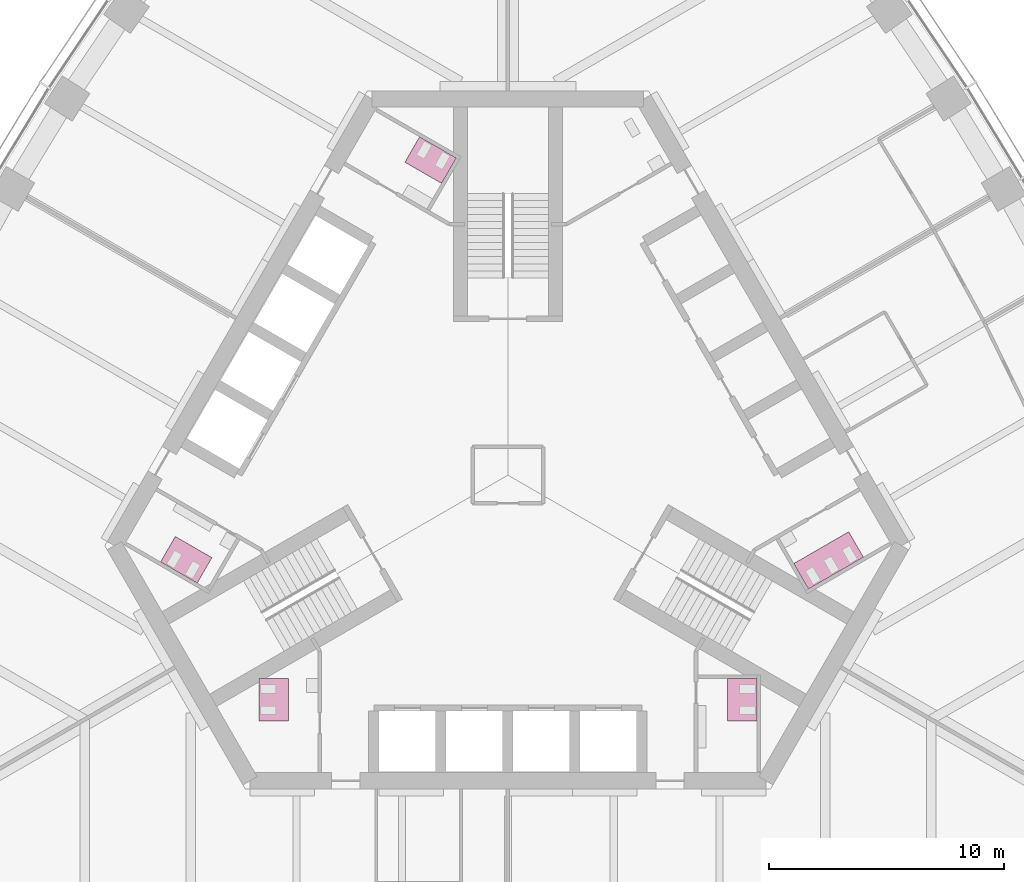
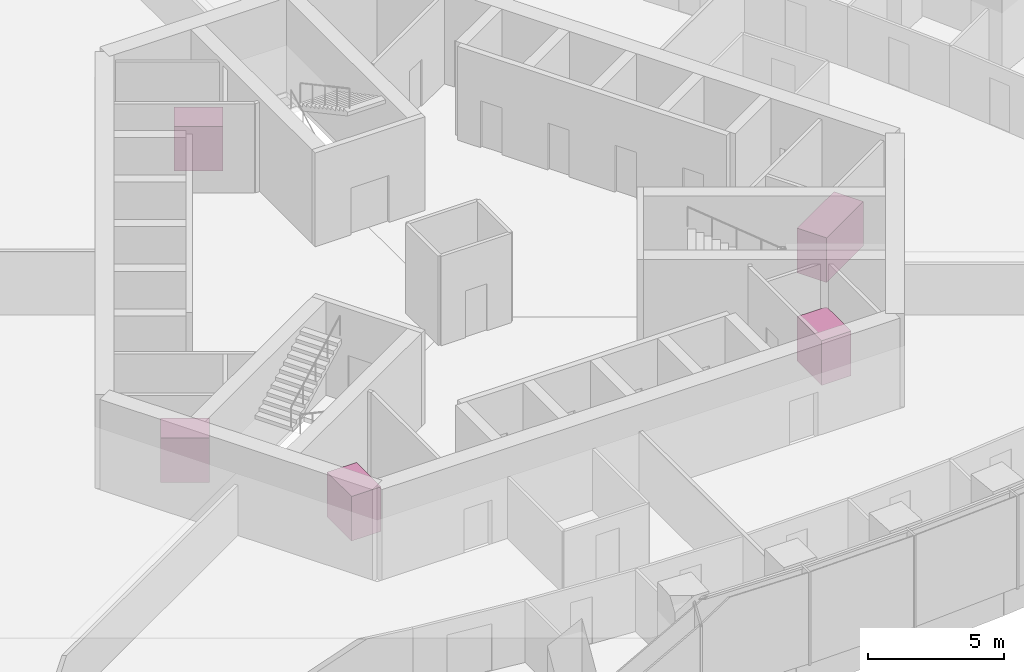
# One storey, part 18 of 18: 5 furniture elements.
"""IFC4 building model written with IfcOpenShell, lengths in metres."""

from ifc_helpers import new_model, si_unit, direction, frame, origin, place, context, subcontext, project, spatial, polyline, outline, extrude, material, type_object, element, save


model = new_model("IFC4")

# Units and contexts
model_context = context("Model", 3, precision=1e-05, world=origin(), true_north=direction((0.0, 1.0)))
body_context = subcontext(model_context, "Body", "Model", "MODEL_VIEW")
ifc_project = project(units=[si_unit("LENGTHUNIT", "METRE"), si_unit("AREAUNIT", "SQUARE_METRE"), si_unit("VOLUMEUNIT", "CUBIC_METRE"), si_unit("PLANEANGLEUNIT", "RADIAN"), si_unit("MASSUNIT", "GRAM", prefix="KILO")], contexts=[model_context])

# Site, building, storey
site_placement = place(None, origin())
site = spatial("IfcSite", under=ifc_project, at=site_placement, CompositionType="ELEMENT")
building_placement = place(site_placement, origin())
building = spatial("IfcBuilding", under=site, at=building_placement, Name="Trefoil Bronze Tower", CompositionType="ELEMENT")
storey_placement = place(building_placement, frame((0.0, 0.0, 252.699951171875)))
storey = spatial("IfcBuildingStorey", under=building, at=storey_placement, Name="L58", CompositionType="ELEMENT", Elevation=252.699951171875)

# Furniture
ifc_material_1 = material(Name="Compact laminate cubicles", Category="plastic")
furniture_type_1 = type_object("IfcFurnitureType", Name="WC cubicle range 2 cubicles", AssemblyPlace="FACTORY", PredefinedType="USERDEFINED", material=ifc_material_1)
furniture_1_placement = place(storey_placement, origin())
element("IfcFurniture", 1, at=furniture_1_placement, inside=storey, type_object=furniture_type_1, Name="WC cubicle range WC (men) L58", ObjectType="WC cubicle range", PredefinedType="USERDEFINED", context=body_context, shape_type="SweptSolid", body=[
    extrude(outline(polyline([(9.3349609375, -8.64990234375), (10.5849609375, -8.64990234375), (10.5849609375, -10.449951171875), (9.3349609375, -10.449951171875), (9.3349609375, -8.64990234375)])), origin(), (0.0, 0.0, 1.0), 2.0),
])
furniture_2_placement = place(storey_placement, origin())
element("IfcFurniture", 2, at=furniture_2_placement, inside=storey, type_object=furniture_type_1, Name="WC cubicle range WC (women) L58", ObjectType="WC cubicle range", PredefinedType="USERDEFINED", context=body_context, shape_type="SweptSolid", body=[
    extrude(outline(polyline([(-2.82373046875, 12.409423828125), (-2.19873046875, 13.491943359375), (-3.757568359375, 14.391845703125), (-4.382568359375, 13.309326171875), (-2.82373046875, 12.409423828125)])), origin(), (0.0, 0.0, 1.0), 2.0),
])
furniture_3_placement = place(storey_placement, origin())
element("IfcFurniture", 3, at=furniture_3_placement, inside=storey, type_object=furniture_type_1, Name="WC cubicle range WC (men) L58", ObjectType="WC cubicle range", PredefinedType="USERDEFINED", context=body_context, shape_type="SweptSolid", body=[
    extrude(outline(polyline([(-12.591552734375, -3.50927734375), (-13.216552734375, -4.591796875), (-14.775390625, -3.69189453125), (-14.150390625, -2.609375), (-12.591552734375, -3.50927734375)])), origin(), (0.0, 0.0, 1.0), 2.0),
])
furniture_4_placement = place(storey_placement, origin())
element("IfcFurniture", 4, at=furniture_4_placement, inside=storey, type_object=furniture_type_1, Name="WC cubicle range WC (women) L58", ObjectType="WC cubicle range", PredefinedType="USERDEFINED", context=body_context, shape_type="SweptSolid", body=[
    extrude(outline(polyline([(-9.3349609375, -8.64990234375), (-10.5849609375, -8.64990234375), (-10.5849609375, -10.449951171875), (-9.3349609375, -10.449951171875), (-9.3349609375, -8.64990234375)])), origin(), (0.0, 0.0, 1.0), 2.0),
])
ifc_material_2 = material(Name="Compact laminate cubicles", Category="plastic")
furniture_type_2 = type_object("IfcFurnitureType", Name="WC cubicle range 3 cubicles", AssemblyPlace="FACTORY", PredefinedType="USERDEFINED", material=ifc_material_2)
furniture_5_placement = place(storey_placement, origin())
element("IfcFurniture", 5, at=furniture_5_placement, inside=storey, type_object=furniture_type_2, Name="WC cubicle range WC (women) L58", ObjectType="WC cubicle range", PredefinedType="USERDEFINED", context=body_context, shape_type="SweptSolid", body=[
    extrude(outline(polyline([(12.15869140625, -3.75927734375), (12.78369140625, -4.841796875), (15.121826171875, -3.491943359375), (14.496826171875, -2.409423828125), (12.15869140625, -3.75927734375)])), origin(), (0.0, 0.0, 1.0), 2.0),
])

save(model, "model.ifc")
